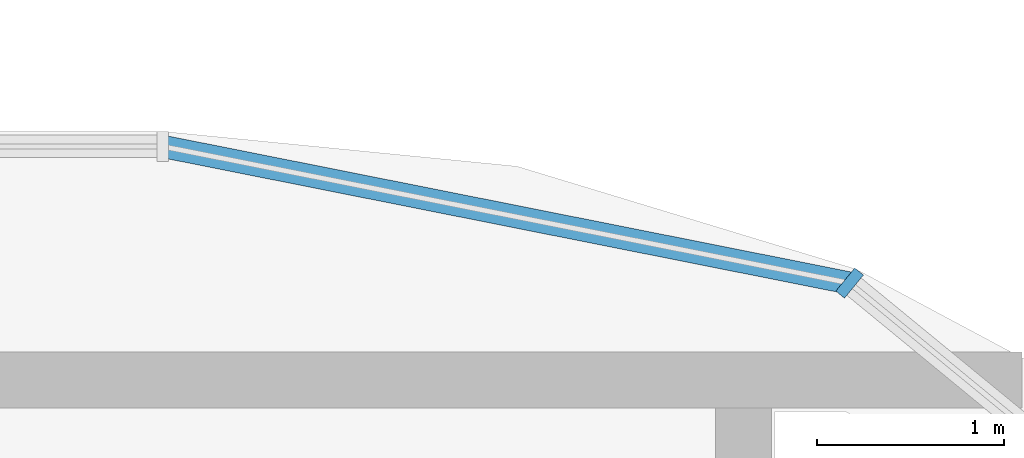
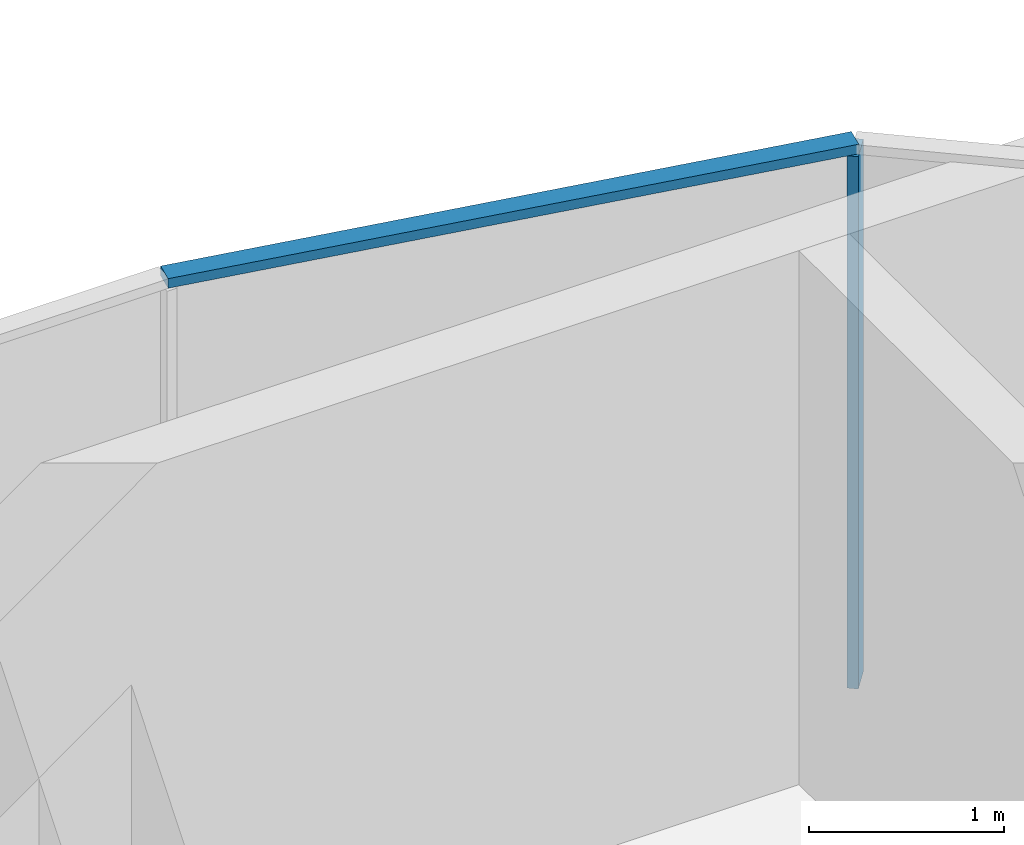
# One storey, part 5 of 34: 2 members, 1 element without a shape of its own.
"""IFC4 building model written with IfcOpenShell, lengths in metres."""

from ifc_helpers import new_model, si_unit, direction, frame, origin, origin_2d, place, context, subcontext, project, spatial, rectangle, extrude, material, material_profile, profile_set, type_object, element, aggregate, save


model = new_model("IFC4")

# Units and contexts
model_context = context("Model", 3, precision=1e-05, world=origin(), true_north=direction((0.0, 1.0)))
body_context = subcontext(model_context, "Body", "Model", "MODEL_VIEW")
ifc_project = project(units=[si_unit("LENGTHUNIT", "METRE"), si_unit("AREAUNIT", "SQUARE_METRE"), si_unit("VOLUMEUNIT", "CUBIC_METRE"), si_unit("PLANEANGLEUNIT", "RADIAN"), si_unit("MASSUNIT", "GRAM", prefix="KILO")], contexts=[model_context])

# Site, building, storey
site_placement = place(None, origin())
site = spatial("IfcSite", under=ifc_project, at=site_placement, CompositionType="ELEMENT")
building_placement = place(site_placement, origin())
building = spatial("IfcBuilding", under=site, at=building_placement, Name="Ogive Portal Towers", CompositionType="ELEMENT")
storey_placement = place(building_placement, frame((0.0, 0.0, 66.800048828125)))
storey = spatial("IfcBuildingStorey", under=building, at=storey_placement, Name="L15", CompositionType="ELEMENT", Elevation=66.800048828125)

# Curtain wall, members
ifc_material_1 = material(Name="Glass, clear low-iron insulated glazing", Category="glass")
curtain_wall_type = type_object("IfcCurtainWallType", Name="CW FRONT RIBBON 4500", PredefinedType="NOTDEFINED", material=ifc_material_1)
curtain_wall_placement = place(storey_placement, origin())
curtain_wall = element("IfcCurtainWall", 1, at=curtain_wall_placement, inside=storey, type_object=curtain_wall_type, Name="A:L15:f13:cwa", PredefinedType="NOTDEFINED")
ifc_material_2 = material(Name="Aluminium 6063 anodised", Category="aluminium")
ifc_material_profile_1 = material_profile(ifc_material_2, rectangle(XDim=0.159912109375, YDim=0.06005859375, at=origin_2d()), Name="AL 60x160")
ifc_profile_set_1 = profile_set([ifc_material_profile_1], Name="Aluminium 6063 anodised")
member_type_1 = type_object("IfcMemberType", Name="CW MULLION 60x160", PredefinedType="MULLION", material=ifc_profile_set_1)
member_1_placement = place(storey_placement, frame((91.169189453125, 41.36865234375, 0.0), z_axis=(0.0, 0.0, 1.0), x_axis=(-0.634393284164, -0.773010453363, 0.0)))
member_1 = element("IfcMember", 2, at=member_1_placement, type_object=member_type_1, Name="mullion", PredefinedType="MULLION", context=body_context, shape_type="SweptSolid", body=[
    extrude(rectangle(XDim=0.159912109375, YDim=0.06005859375, at=origin_2d()), origin(), (0.0, 0.0, 1.0), 3.33984375),
])
ifc_material_profile_2 = material_profile(ifc_material_2, rectangle(XDim=0.1201171875, YDim=0.06005859375, at=origin_2d()), Name="AL 120x60")
ifc_profile_set_2 = profile_set([ifc_material_profile_2], Name="Aluminium 6063 anodised")
member_type_2 = type_object("IfcMemberType", Name="CW TRANSOM 60x120", PredefinedType="USERDEFINED", material=ifc_profile_set_2)
member_2_placement = place(storey_placement, frame((91.169189453125, 41.36865234375, 3.369873046875), z_axis=(-0.980783027079, 0.195101649899, 0.0), x_axis=(-0.195101649899, -0.980783027079, 0.0)))
member_2 = element("IfcMember", 3, at=member_2_placement, type_object=member_type_2, Name="transom", ObjectType="TRANSOM", PredefinedType="USERDEFINED", context=body_context, shape_type="SweptSolid", body=[
    extrude(rectangle(XDim=0.1201171875, YDim=0.06005859375, at=origin_2d()), origin(), (0.0, 0.0, 1.0), 3.7490234375),
])
aggregate(curtain_wall, [member_2, member_1])

save(model, "model.ifc")
